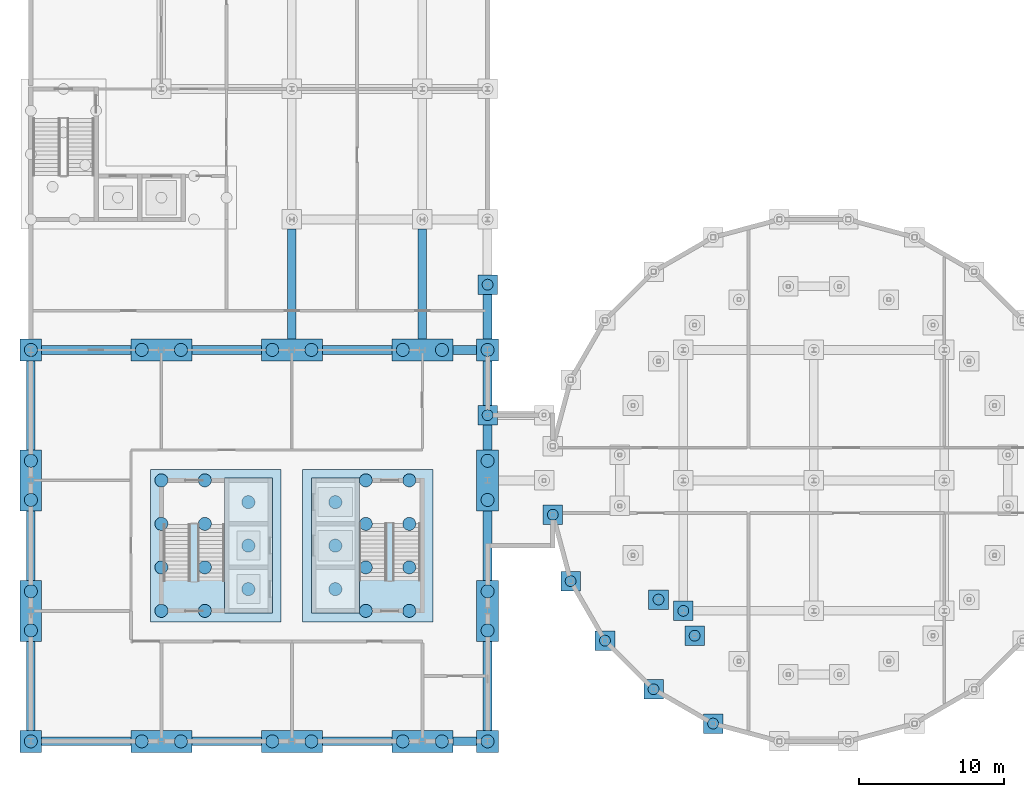
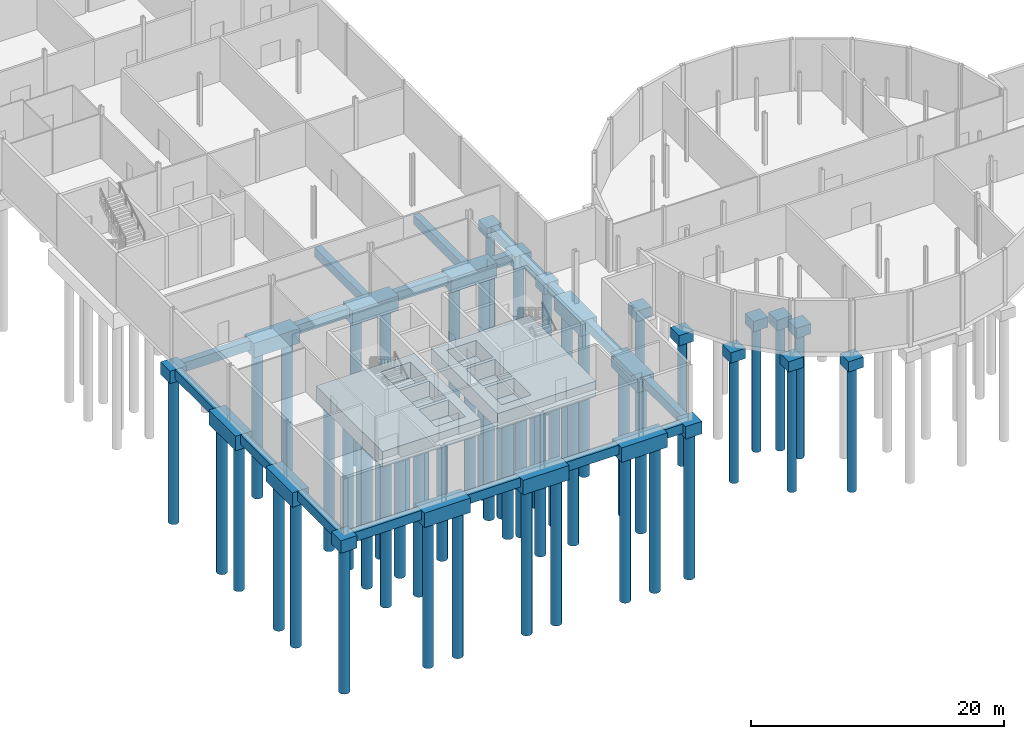
# One storey, part 1 of 25: 56 piles, 46 footings.
"""IFC4 building model written with IfcOpenShell, lengths in metres."""

from ifc_helpers import new_model, si_unit, direction, frame, origin, origin_2d, place, context, subcontext, project, spatial, polyline, circle, outline, extrude, material, material_profile, profile_set, type_object, element, save


model = new_model("IFC4")

# Units and contexts
model_context = context("Model", 3, precision=1e-05, world=origin(), true_north=direction((0.0, 1.0)))
body_context = subcontext(model_context, "Body", "Model", "MODEL_VIEW")
ifc_project = project(units=[si_unit("LENGTHUNIT", "METRE"), si_unit("AREAUNIT", "SQUARE_METRE"), si_unit("VOLUMEUNIT", "CUBIC_METRE"), si_unit("PLANEANGLEUNIT", "RADIAN"), si_unit("MASSUNIT", "GRAM", prefix="KILO")], contexts=[model_context])

# Site, building, storey
site_placement = place(None, origin())
site = spatial("IfcSite", under=ifc_project, at=site_placement, CompositionType="ELEMENT")
building_placement = place(site_placement, origin())
building = spatial("IfcBuilding", under=site, at=building_placement, Name="Hortulan Conservatory and Botanical Research Centre", CompositionType="ELEMENT")
storey_placement = place(building_placement, frame((0.0, 0.0, -5.0)))
storey = spatial("IfcBuildingStorey", under=building, at=storey_placement, Name="B1", CompositionType="ELEMENT", Elevation=-5.0)

# Piles
ifc_material = material(Name="Concrete N40 (40 MPa, AS 3600)", Category="concrete")
ifc_material_profile_1 = material_profile(ifc_material, circle(Radius=0.375, at=origin_2d()), Name="Bored pile 750 diameter")
ifc_profile_set_1 = profile_set([ifc_material_profile_1], Name="Concrete N40 (40 MPa, AS 3600)")
pile_type_1 = type_object("IfcPileType", Name="Bored Pile 750", PredefinedType="BORED", material=ifc_profile_set_1)
for number, where, z_axis, x_axis, name in (
    (1, (36.0, 15.63037109375, -1.300048828125), (0.0, 0.0, -1.0), (1.0, 0.0, 0.0), "Bored pile 750"),
    (2, (37.226806640625, 11.05224609375, -1.300048828125), (0.0, 0.0, -1.0), (1.0, 0.0, 0.0), "Bored pile 750"),
    (3, (39.596435546875, 6.94775390625, -1.300048828125), (0.0, 0.0, -1.0), (1.0, 0.0, 0.0), "Bored pile 750"),
    (4, (42.94775390625, 3.596435546875, -1.300048828125), (0.0, 0.0, -1.0), (1.0, 0.0, 0.0), "Bored pile 750"),
    (5, (47.05224609375, 1.226806640625, -1.300048828125), (0.0, 0.0, -1.0), (1.0, 0.0, 0.0), "Bored pile 750"),
    (6, (43.289794921875, 9.78173828125, -1.300048828125), (0.0, 0.0, -1.0), (1.0, 0.0, 0.0), "Bored pile 750"),
    (7, (45.78173828125, 7.289794921875, -1.300048828125), (0.0, 0.0, -1.0), (1.0, 0.0, 0.0), "Bored pile 750"),
    (8, (45.0, 9.0, -1.300048828125), (0.0, 0.0, -1.0), (1.0, 0.0, 0.0), "Bored pile 750"),
    (9, (31.5, 22.5, -1.300048828125), (0.0, 0.0, -1.0), (1.0, 0.0, 0.0), "Bored pile 750"),
    (10, (31.5, 31.5, -1.300048828125), (0.0, 0.0, -1.0), (1.0, 0.0, 0.0), "Bored pile 750"),
):
    element("IfcPile", number, at=place(storey_placement, frame(where, z_axis=z_axis, x_axis=x_axis)), inside=storey, type_object=pile_type_1, Name=name, PredefinedType="BORED", context=body_context, shape_type="SweptSolid", body=[
        extrude(circle(Radius=0.375, at=origin_2d()), origin(), (0.0, 0.0, 1.0), 12.10009765625),
    ])
ifc_material_profile_2 = material_profile(ifc_material, circle(Radius=0.449951171875, at=origin_2d()), Name="Bored pile 900 diameter")
ifc_profile_set_2 = profile_set([ifc_material_profile_2], Name="Concrete N40 (40 MPa, AS 3600)")
pile_type_2 = type_object("IfcPileType", Name="Bored Pile 900", PredefinedType="BORED", material=ifc_profile_set_2)
for number, where, z_axis, x_axis, name in (
    (11, (9.0, 9.0, -1.800048828125), (0.0, 0.0, -1.0), (1.0, 0.0, 0.0), "Bored pile 900"),
    (12, (9.0, 12.0, -1.800048828125), (0.0, 0.0, -1.0), (1.0, 0.0, 0.0), "Bored pile 900"),
    (13, (9.0, 15.0, -1.800048828125), (0.0, 0.0, -1.0), (1.0, 0.0, 0.0), "Bored pile 900"),
    (14, (9.0, 18.0, -1.800048828125), (0.0, 0.0, -1.0), (1.0, 0.0, 0.0), "Bored pile 900"),
    (15, (12.0, 9.0, -1.800048828125), (0.0, 0.0, -1.0), (1.0, 0.0, 0.0), "Bored pile 900"),
    (16, (12.0, 12.0, -1.800048828125), (0.0, 0.0, -1.0), (1.0, 0.0, 0.0), "Bored pile 900"),
    (17, (12.0, 15.0, -1.800048828125), (0.0, 0.0, -1.0), (1.0, 0.0, 0.0), "Bored pile 900"),
    (18, (12.0, 18.0, -1.800048828125), (0.0, 0.0, -1.0), (1.0, 0.0, 0.0), "Bored pile 900"),
):
    element("IfcPile", number, at=place(storey_placement, frame(where, z_axis=z_axis, x_axis=x_axis)), inside=storey, type_object=pile_type_2, Name=name, PredefinedType="BORED", context=body_context, shape_type="SweptSolid", body=[
        extrude(circle(Radius=0.449951171875, at=origin_2d()), origin(), (0.0, 0.0, 1.0), 14.10009765625),
    ])
for number, where, z_axis, x_axis, name in (
    (19, (15.0, 10.5, -2.300048828125), (0.0, 0.0, -1.0), (1.0, 0.0, 0.0), "Bored pile 900"),
    (20, (15.0, 13.5, -2.300048828125), (0.0, 0.0, -1.0), (1.0, 0.0, 0.0), "Bored pile 900"),
    (21, (15.0, 16.5, -2.300048828125), (0.0, 0.0, -1.0), (1.0, 0.0, 0.0), "Bored pile 900"),
):
    element("IfcPile", number, at=place(storey_placement, frame(where, z_axis=z_axis, x_axis=x_axis)), inside=storey, type_object=pile_type_2, Name=name, PredefinedType="BORED", context=body_context, shape_type="SweptSolid", body=[
        extrude(circle(Radius=0.449951171875, at=origin_2d()), origin(), (0.0, 0.0, 1.0), 12.10009765625),
    ])
for number, where, z_axis, x_axis, name in (
    (22, (23.10009765625, 9.0, -1.800048828125), (0.0, 0.0, -1.0), (1.0, 0.0, 0.0), "Bored pile 900"),
    (23, (23.10009765625, 12.0, -1.800048828125), (0.0, 0.0, -1.0), (1.0, 0.0, 0.0), "Bored pile 900"),
    (24, (23.10009765625, 15.0, -1.800048828125), (0.0, 0.0, -1.0), (1.0, 0.0, 0.0), "Bored pile 900"),
    (25, (23.10009765625, 18.0, -1.800048828125), (0.0, 0.0, -1.0), (1.0, 0.0, 0.0), "Bored pile 900"),
    (26, (26.10009765625, 9.0, -1.800048828125), (0.0, 0.0, -1.0), (1.0, 0.0, 0.0), "Bored pile 900"),
    (27, (26.10009765625, 12.0, -1.800048828125), (0.0, 0.0, -1.0), (1.0, 0.0, 0.0), "Bored pile 900"),
    (28, (26.10009765625, 15.0, -1.800048828125), (0.0, 0.0, -1.0), (1.0, 0.0, 0.0), "Bored pile 900"),
    (29, (26.10009765625, 18.0, -1.800048828125), (0.0, 0.0, -1.0), (1.0, 0.0, 0.0), "Bored pile 900"),
):
    element("IfcPile", number, at=place(storey_placement, frame(where, z_axis=z_axis, x_axis=x_axis)), inside=storey, type_object=pile_type_2, Name=name, PredefinedType="BORED", context=body_context, shape_type="SweptSolid", body=[
        extrude(circle(Radius=0.449951171875, at=origin_2d()), origin(), (0.0, 0.0, 1.0), 14.10009765625),
    ])
for number, where, z_axis, x_axis, name in (
    (30, (21.0, 10.5, -2.300048828125), (0.0, 0.0, -1.0), (1.0, 0.0, 0.0), "Bored pile 900"),
    (31, (21.0, 13.5, -2.300048828125), (0.0, 0.0, -1.0), (1.0, 0.0, 0.0), "Bored pile 900"),
    (32, (21.0, 16.5, -2.300048828125), (0.0, 0.0, -1.0), (1.0, 0.0, 0.0), "Bored pile 900"),
):
    element("IfcPile", number, at=place(storey_placement, frame(where, z_axis=z_axis, x_axis=x_axis)), inside=storey, type_object=pile_type_2, Name=name, PredefinedType="BORED", context=body_context, shape_type="SweptSolid", body=[
        extrude(circle(Radius=0.449951171875, at=origin_2d()), origin(), (0.0, 0.0, 1.0), 12.10009765625),
    ])
for number, where, z_axis, x_axis, name in (
    (33, (0.0, 0.0, -1.5), (0.0, 0.0, -1.0), (1.0, 0.0, 0.0), "Bored pile 900"),
    (34, (0.0, 7.64990234375, -1.699951171875), (0.0, 0.0, -1.0), (1.0, 0.0, 0.0), "Bored pile 900"),
    (35, (0.0, 10.35009765625, -1.699951171875), (0.0, 0.0, -1.0), (1.0, 0.0, 0.0), "Bored pile 900"),
    (36, (0.0, 16.64990234375, -1.699951171875), (0.0, 0.0, -1.0), (1.0, 0.0, 0.0), "Bored pile 900"),
    (37, (0.0, 19.35009765625, -1.699951171875), (0.0, 0.0, -1.0), (1.0, 0.0, 0.0), "Bored pile 900"),
    (38, (0.0, 27.0, -1.5), (0.0, 0.0, -1.0), (1.0, 0.0, 0.0), "Bored pile 900"),
    (39, (7.64990234375, 0.0, -1.699951171875), (0.0, 0.0, -1.0), (1.0, 0.0, 0.0), "Bored pile 900"),
    (40, (10.35009765625, 0.0, -1.699951171875), (0.0, 0.0, -1.0), (1.0, 0.0, 0.0), "Bored pile 900"),
    (41, (7.64990234375, 27.0, -1.699951171875), (0.0, 0.0, -1.0), (1.0, 0.0, 0.0), "Bored pile 900"),
    (42, (10.35009765625, 27.0, -1.699951171875), (0.0, 0.0, -1.0), (1.0, 0.0, 0.0), "Bored pile 900"),
    (43, (16.64990234375, 0.0, -1.699951171875), (0.0, 0.0, -1.0), (1.0, 0.0, 0.0), "Bored pile 900"),
    (44, (19.35009765625, 0.0, -1.699951171875), (0.0, 0.0, -1.0), (1.0, 0.0, 0.0), "Bored pile 900"),
    (45, (16.64990234375, 27.0, -1.699951171875), (0.0, 0.0, -1.0), (1.0, 0.0, 0.0), "Bored pile 900"),
    (46, (19.35009765625, 27.0, -1.699951171875), (0.0, 0.0, -1.0), (1.0, 0.0, 0.0), "Bored pile 900"),
    (47, (25.64990234375, 0.0, -1.699951171875), (0.0, 0.0, -1.0), (1.0, 0.0, 0.0), "Bored pile 900"),
    (48, (28.35009765625, 0.0, -1.699951171875), (0.0, 0.0, -1.0), (1.0, 0.0, 0.0), "Bored pile 900"),
    (49, (25.64990234375, 27.0, -1.699951171875), (0.0, 0.0, -1.0), (1.0, 0.0, 0.0), "Bored pile 900"),
    (50, (28.35009765625, 27.0, -1.699951171875), (0.0, 0.0, -1.0), (1.0, 0.0, 0.0), "Bored pile 900"),
    (51, (31.5, 0.0, -1.5), (0.0, 0.0, -1.0), (1.0, 0.0, 0.0), "Bored pile 900"),
    (52, (31.5, 7.64990234375, -1.699951171875), (0.0, 0.0, -1.0), (1.0, 0.0, 0.0), "Bored pile 900"),
    (53, (31.5, 10.35009765625, -1.699951171875), (0.0, 0.0, -1.0), (1.0, 0.0, 0.0), "Bored pile 900"),
    (54, (31.5, 16.64990234375, -1.699951171875), (0.0, 0.0, -1.0), (1.0, 0.0, 0.0), "Bored pile 900"),
    (55, (31.5, 19.35009765625, -1.699951171875), (0.0, 0.0, -1.0), (1.0, 0.0, 0.0), "Bored pile 900"),
    (56, (31.5, 27.0, -1.5), (0.0, 0.0, -1.0), (1.0, 0.0, 0.0), "Bored pile 900"),
):
    element("IfcPile", number, at=place(storey_placement, frame(where, z_axis=z_axis, x_axis=x_axis)), inside=storey, type_object=pile_type_2, Name=name, PredefinedType="BORED", context=body_context, shape_type="SweptSolid", body=[
        extrude(circle(Radius=0.449951171875, at=origin_2d()), origin(), (0.0, 0.0, 1.0), 14.10009765625),
    ])

# Footings
footing_type_1 = type_object("IfcFootingType", Name="Ground Beam 600x900", PredefinedType="FOOTING_BEAM", material=ifc_material)
footing_1_placement = place(storey_placement, frame((0.0, 0.0, -1.300048828125)))
element("IfcFooting", 57, at=footing_1_placement, inside=storey, type_object=footing_type_1, Name="Ground beam", PredefinedType="FOOTING_BEAM", context=body_context, shape_type="SweptSolid", body=[
    extrude(outline(polyline([(6.89990234375, -0.300048828125), (6.89990234375, 0.300048828125), (0.75, 0.300048828125), (0.75, -0.300048828125), (6.89990234375, -0.300048828125)])), origin(), (0.0, 0.0, 1.0), 0.900146484375),
])
footing_2_placement = place(storey_placement, frame((0.0, 0.0, -1.300048828125)))
element("IfcFooting", 58, at=footing_2_placement, inside=storey, type_object=footing_type_1, Name="Ground beam", PredefinedType="FOOTING_BEAM", context=body_context, shape_type="SweptSolid", body=[
    extrude(outline(polyline([(15.89990234375, -0.300048828125), (15.89990234375, 0.300048828125), (11.10009765625, 0.300048828125), (11.10009765625, -0.300048828125), (15.89990234375, -0.300048828125)])), origin(), (0.0, 0.0, 1.0), 0.900146484375),
])
footing_3_placement = place(storey_placement, frame((0.0, 0.0, -1.300048828125)))
element("IfcFooting", 59, at=footing_3_placement, inside=storey, type_object=footing_type_1, Name="Ground beam", PredefinedType="FOOTING_BEAM", context=body_context, shape_type="SweptSolid", body=[
    extrude(outline(polyline([(24.89990234375, -0.300048828125), (24.89990234375, 0.300048828125), (20.10009765625, 0.300048828125), (20.10009765625, -0.300048828125), (24.89990234375, -0.300048828125)])), origin(), (0.0, 0.0, 1.0), 0.900146484375),
])
footing_4_placement = place(storey_placement, frame((0.0, 0.0, -1.300048828125)))
element("IfcFooting", 60, at=footing_4_placement, inside=storey, type_object=footing_type_1, Name="Ground beam", PredefinedType="FOOTING_BEAM", context=body_context, shape_type="SweptSolid", body=[
    extrude(outline(polyline([(30.75, -0.300048828125), (30.75, 0.300048828125), (29.10009765625, 0.300048828125), (29.10009765625, -0.300048828125), (30.75, -0.300048828125)])), origin(), (0.0, 0.0, 1.0), 0.900146484375),
])
footing_5_placement = place(storey_placement, frame((0.0, 0.0, -1.300048828125)))
element("IfcFooting", 61, at=footing_5_placement, inside=storey, type_object=footing_type_1, Name="Ground beam", PredefinedType="FOOTING_BEAM", context=body_context, shape_type="SweptSolid", body=[
    extrude(outline(polyline([(6.89990234375, 26.699951171875), (6.89990234375, 27.300048828125), (0.75, 27.300048828125), (0.75, 26.699951171875), (6.89990234375, 26.699951171875)])), origin(), (0.0, 0.0, 1.0), 0.900146484375),
])
footing_6_placement = place(storey_placement, frame((0.0, 0.0, -1.300048828125)))
element("IfcFooting", 62, at=footing_6_placement, inside=storey, type_object=footing_type_1, Name="Ground beam", PredefinedType="FOOTING_BEAM", context=body_context, shape_type="SweptSolid", body=[
    extrude(outline(polyline([(15.89990234375, 26.699951171875), (15.89990234375, 27.300048828125), (11.10009765625, 27.300048828125), (11.10009765625, 26.699951171875), (15.89990234375, 26.699951171875)])), origin(), (0.0, 0.0, 1.0), 0.900146484375),
])
footing_7_placement = place(storey_placement, frame((0.0, 0.0, -1.300048828125)))
element("IfcFooting", 63, at=footing_7_placement, inside=storey, type_object=footing_type_1, Name="Ground beam", PredefinedType="FOOTING_BEAM", context=body_context, shape_type="SweptSolid", body=[
    extrude(outline(polyline([(24.89990234375, 26.699951171875), (24.89990234375, 27.300048828125), (20.10009765625, 27.300048828125), (20.10009765625, 26.699951171875), (24.89990234375, 26.699951171875)])), origin(), (0.0, 0.0, 1.0), 0.900146484375),
])
footing_8_placement = place(storey_placement, frame((0.0, 0.0, -1.300048828125)))
element("IfcFooting", 64, at=footing_8_placement, inside=storey, type_object=footing_type_1, Name="Ground beam", PredefinedType="FOOTING_BEAM", context=body_context, shape_type="SweptSolid", body=[
    extrude(outline(polyline([(30.75, 26.699951171875), (30.75, 27.300048828125), (29.10009765625, 27.300048828125), (29.10009765625, 26.699951171875), (30.75, 26.699951171875)])), origin(), (0.0, 0.0, 1.0), 0.900146484375),
])
footing_9_placement = place(storey_placement, frame((0.0, 0.0, -1.300048828125)))
element("IfcFooting", 65, at=footing_9_placement, inside=storey, type_object=footing_type_1, Name="Ground beam", PredefinedType="FOOTING_BEAM", context=body_context, shape_type="SweptSolid", body=[
    extrude(outline(polyline([(0.300048828125, 0.75), (0.300048828125, 6.89990234375), (-0.300048828125, 6.89990234375), (-0.300048828125, 0.75), (0.300048828125, 0.75)])), origin(), (0.0, 0.0, 1.0), 0.900146484375),
])
footing_10_placement = place(storey_placement, frame((0.0, 0.0, -1.300048828125)))
element("IfcFooting", 66, at=footing_10_placement, inside=storey, type_object=footing_type_1, Name="Ground beam", PredefinedType="FOOTING_BEAM", context=body_context, shape_type="SweptSolid", body=[
    extrude(outline(polyline([(0.300048828125, 11.10009765625), (0.300048828125, 15.89990234375), (-0.300048828125, 15.89990234375), (-0.300048828125, 11.10009765625), (0.300048828125, 11.10009765625)])), origin(), (0.0, 0.0, 1.0), 0.900146484375),
])
footing_11_placement = place(storey_placement, frame((0.0, 0.0, -1.300048828125)))
element("IfcFooting", 67, at=footing_11_placement, inside=storey, type_object=footing_type_1, Name="Ground beam", PredefinedType="FOOTING_BEAM", context=body_context, shape_type="SweptSolid", body=[
    extrude(outline(polyline([(0.300048828125, 20.10009765625), (0.300048828125, 26.25), (-0.300048828125, 26.25), (-0.300048828125, 20.10009765625), (0.300048828125, 20.10009765625)])), origin(), (0.0, 0.0, 1.0), 0.900146484375),
])
footing_12_placement = place(storey_placement, frame((0.0, 0.0, -1.300048828125)))
element("IfcFooting", 68, at=footing_12_placement, inside=storey, type_object=footing_type_1, Name="Ground beam", PredefinedType="FOOTING_BEAM", context=body_context, shape_type="SweptSolid", body=[
    extrude(outline(polyline([(18.300048828125, 27.75), (18.300048828125, 35.324951171875), (17.699951171875, 35.324951171875), (17.699951171875, 27.75), (18.300048828125, 27.75)])), origin(), (0.0, 0.0, 1.0), 0.900146484375),
])
footing_13_placement = place(storey_placement, frame((0.0, 0.0, -1.300048828125)))
element("IfcFooting", 69, at=footing_13_placement, inside=storey, type_object=footing_type_1, Name="Ground beam", PredefinedType="FOOTING_BEAM", context=body_context, shape_type="SweptSolid", body=[
    extrude(outline(polyline([(27.300048828125, 27.75), (27.300048828125, 35.324951171875), (26.699951171875, 35.324951171875), (26.699951171875, 27.75), (27.300048828125, 27.75)])), origin(), (0.0, 0.0, 1.0), 0.900146484375),
])
footing_14_placement = place(storey_placement, frame((0.0, 0.0, -1.300048828125)))
element("IfcFooting", 70, at=footing_14_placement, inside=storey, type_object=footing_type_1, Name="Ground beam", PredefinedType="FOOTING_BEAM", context=body_context, shape_type="SweptSolid", body=[
    extrude(outline(polyline([(31.800048828125, 0.75), (31.800048828125, 6.89990234375), (31.199951171875, 6.89990234375), (31.199951171875, 0.75), (31.800048828125, 0.75)])), origin(), (0.0, 0.0, 1.0), 0.900146484375),
])
footing_15_placement = place(storey_placement, frame((0.0, 0.0, -1.300048828125)))
element("IfcFooting", 71, at=footing_15_placement, inside=storey, type_object=footing_type_1, Name="Ground beam", PredefinedType="FOOTING_BEAM", context=body_context, shape_type="SweptSolid", body=[
    extrude(outline(polyline([(31.800048828125, 11.10009765625), (31.800048828125, 15.89990234375), (31.199951171875, 15.89990234375), (31.199951171875, 11.10009765625), (31.800048828125, 11.10009765625)])), origin(), (0.0, 0.0, 1.0), 0.900146484375),
])
footing_16_placement = place(storey_placement, frame((0.0, 0.0, -1.300048828125)))
element("IfcFooting", 72, at=footing_16_placement, inside=storey, type_object=footing_type_1, Name="Ground beam", PredefinedType="FOOTING_BEAM", context=body_context, shape_type="SweptSolid", body=[
    extrude(outline(polyline([(31.800048828125, 20.10009765625), (31.800048828125, 21.824951171875), (31.199951171875, 21.824951171875), (31.199951171875, 20.10009765625), (31.800048828125, 20.10009765625)])), origin(), (0.0, 0.0, 1.0), 0.900146484375),
])
footing_17_placement = place(storey_placement, frame((0.0, 0.0, -1.300048828125)))
element("IfcFooting", 73, at=footing_17_placement, inside=storey, type_object=footing_type_1, Name="Ground beam", PredefinedType="FOOTING_BEAM", context=body_context, shape_type="SweptSolid", body=[
    extrude(outline(polyline([(31.800048828125, 23.175048828125), (31.800048828125, 26.25), (31.199951171875, 26.25), (31.199951171875, 23.175048828125), (31.800048828125, 23.175048828125)])), origin(), (0.0, 0.0, 1.0), 0.900146484375),
])
footing_18_placement = place(storey_placement, frame((0.0, 0.0, -1.300048828125)))
element("IfcFooting", 74, at=footing_18_placement, inside=storey, type_object=footing_type_1, Name="Ground beam", PredefinedType="FOOTING_BEAM", context=body_context, shape_type="SweptSolid", body=[
    extrude(outline(polyline([(31.800048828125, 27.75), (31.800048828125, 30.824951171875), (31.199951171875, 30.824951171875), (31.199951171875, 27.75), (31.800048828125, 27.75)])), origin(), (0.0, 0.0, 1.0), 0.900146484375),
])
footing_type_2 = type_object("IfcFootingType", Name="Lift Pit Pile Cap 500", PredefinedType="PILE_CAP", material=ifc_material)
footing_19_placement = place(storey_placement, frame((0.0, 0.0, -2.39990234375)))
element("IfcFooting", 75, at=footing_19_placement, inside=storey, type_object=footing_type_2, Name="Lift pit pile cap", PredefinedType="PILE_CAP", context=body_context, shape_type="SweptSolid", body=[
    extrude(outline(polyline([(16.64990234375, 8.85009765625), (16.64990234375, 11.85009765625), (16.64990234375, 12.14990234375), (16.64990234375, 14.85009765625), (16.64990234375, 15.14990234375), (16.64990234375, 18.14990234375), (13.35009765625, 18.14990234375), (13.35009765625, 15.14990234375), (13.35009765625, 14.85009765625), (13.35009765625, 12.14990234375), (13.35009765625, 11.85009765625), (13.35009765625, 8.85009765625), (16.64990234375, 8.85009765625)])), origin(), (0.0, 0.0, 1.0), 0.5),
])
footing_20_placement = place(storey_placement, frame((0.0, 0.0, -2.39990234375)))
element("IfcFooting", 76, at=footing_20_placement, inside=storey, type_object=footing_type_2, Name="Lift pit pile cap", PredefinedType="PILE_CAP", context=body_context, shape_type="SweptSolid", body=[
    extrude(outline(polyline([(22.64990234375, 8.85009765625), (22.64990234375, 11.85009765625), (22.64990234375, 12.14990234375), (22.64990234375, 14.85009765625), (22.64990234375, 15.14990234375), (22.64990234375, 18.14990234375), (19.35009765625, 18.14990234375), (19.35009765625, 15.14990234375), (19.35009765625, 14.85009765625), (19.35009765625, 12.14990234375), (19.35009765625, 11.85009765625), (19.35009765625, 8.85009765625), (22.64990234375, 8.85009765625)])), origin(), (0.0, 0.0, 1.0), 0.5),
])
footing_type_3 = type_object("IfcFootingType", Name="Pile Cap 1350x1350x1000", PredefinedType="PILE_CAP", material=ifc_material)
footing_21_placement = place(storey_placement, frame((0.0, 0.0, -1.39990234375)))
element("IfcFooting", 77, at=footing_21_placement, inside=storey, type_object=footing_type_3, Name="Pile cap", PredefinedType="PILE_CAP", context=body_context, shape_type="SweptSolid", body=[
    extrude(outline(polyline([(36.675048828125, 14.955322265625), (36.675048828125, 16.305419921875), (35.324951171875, 16.305419921875), (35.324951171875, 14.955322265625), (36.675048828125, 14.955322265625)])), origin(), (0.0, 0.0, 1.0), 1.0),
])
footing_22_placement = place(storey_placement, frame((0.0, 0.0, -1.39990234375)))
element("IfcFooting", 78, at=footing_22_placement, inside=storey, type_object=footing_type_3, Name="Pile cap", PredefinedType="PILE_CAP", context=body_context, shape_type="SweptSolid", body=[
    extrude(outline(polyline([(37.901611328125, 10.377197265625), (37.901611328125, 11.727294921875), (36.5517578125, 11.727294921875), (36.5517578125, 10.377197265625), (37.901611328125, 10.377197265625)])), origin(), (0.0, 0.0, 1.0), 1.0),
])
footing_23_placement = place(storey_placement, frame((0.0, 0.0, -1.39990234375)))
element("IfcFooting", 79, at=footing_23_placement, inside=storey, type_object=footing_type_3, Name="Pile cap", PredefinedType="PILE_CAP", context=body_context, shape_type="SweptSolid", body=[
    extrude(outline(polyline([(40.271484375, 6.272705078125), (40.271484375, 7.622802734375), (38.92138671875, 7.622802734375), (38.92138671875, 6.272705078125), (40.271484375, 6.272705078125)])), origin(), (0.0, 0.0, 1.0), 1.0),
])
footing_24_placement = place(storey_placement, frame((0.0, 0.0, -1.39990234375)))
element("IfcFooting", 80, at=footing_24_placement, inside=storey, type_object=footing_type_3, Name="Pile cap", PredefinedType="PILE_CAP", context=body_context, shape_type="SweptSolid", body=[
    extrude(outline(polyline([(43.622802734375, 2.92138671875), (43.622802734375, 4.271484375), (42.272705078125, 4.271484375), (42.272705078125, 2.92138671875), (43.622802734375, 2.92138671875)])), origin(), (0.0, 0.0, 1.0), 1.0),
])
footing_25_placement = place(storey_placement, frame((0.0, 0.0, -1.39990234375)))
element("IfcFooting", 81, at=footing_25_placement, inside=storey, type_object=footing_type_3, Name="Pile cap", PredefinedType="PILE_CAP", context=body_context, shape_type="SweptSolid", body=[
    extrude(outline(polyline([(47.727294921875, 0.5517578125), (47.727294921875, 1.901611328125), (46.377197265625, 1.901611328125), (46.377197265625, 0.5517578125), (47.727294921875, 0.5517578125)])), origin(), (0.0, 0.0, 1.0), 1.0),
])
footing_26_placement = place(storey_placement, frame((0.0, 0.0, -1.39990234375)))
element("IfcFooting", 82, at=footing_26_placement, inside=storey, type_object=footing_type_3, Name="Pile cap", PredefinedType="PILE_CAP", context=body_context, shape_type="SweptSolid", body=[
    extrude(outline(polyline([(43.964599609375, 9.106689453125), (43.964599609375, 10.456787109375), (42.61474609375, 10.456787109375), (42.61474609375, 9.106689453125), (43.964599609375, 9.106689453125)])), origin(), (0.0, 0.0, 1.0), 1.0),
])
footing_27_placement = place(storey_placement, frame((0.0, 0.0, -1.39990234375)))
element("IfcFooting", 83, at=footing_27_placement, inside=storey, type_object=footing_type_3, Name="Pile cap", PredefinedType="PILE_CAP", context=body_context, shape_type="SweptSolid", body=[
    extrude(outline(polyline([(46.456787109375, 6.61474609375), (46.456787109375, 7.964599609375), (45.106689453125, 7.964599609375), (45.106689453125, 6.61474609375), (46.456787109375, 6.61474609375)])), origin(), (0.0, 0.0, 1.0), 1.0),
])
footing_28_placement = place(storey_placement, frame((0.0, 0.0, -1.39990234375)))
element("IfcFooting", 84, at=footing_28_placement, inside=storey, type_object=footing_type_3, Name="Pile cap", PredefinedType="PILE_CAP", context=body_context, shape_type="SweptSolid", body=[
    extrude(outline(polyline([(45.675048828125, 8.324951171875), (45.675048828125, 9.675048828125), (44.324951171875, 9.675048828125), (44.324951171875, 8.324951171875), (45.675048828125, 8.324951171875)])), origin(), (0.0, 0.0, 1.0), 1.0),
])
footing_29_placement = place(storey_placement, frame((0.0, 0.0, -1.39990234375)))
element("IfcFooting", 85, at=footing_29_placement, inside=storey, type_object=footing_type_3, Name="Pile cap", PredefinedType="PILE_CAP", context=body_context, shape_type="SweptSolid", body=[
    extrude(outline(polyline([(32.175048828125, 21.824951171875), (32.175048828125, 23.175048828125), (30.824951171875, 23.175048828125), (30.824951171875, 21.824951171875), (32.175048828125, 21.824951171875)])), origin(), (0.0, 0.0, 1.0), 1.0),
])
footing_30_placement = place(storey_placement, frame((0.0, 0.0, -1.39990234375)))
element("IfcFooting", 86, at=footing_30_placement, inside=storey, type_object=footing_type_3, Name="Pile cap", PredefinedType="PILE_CAP", context=body_context, shape_type="SweptSolid", body=[
    extrude(outline(polyline([(32.175048828125, 30.824951171875), (32.175048828125, 32.175048828125), (30.824951171875, 32.175048828125), (30.824951171875, 30.824951171875), (32.175048828125, 30.824951171875)])), origin(), (0.0, 0.0, 1.0), 1.0),
])
footing_type_4 = type_object("IfcFootingType", Name="Pile Cap 1500x1500x1200", PredefinedType="PILE_CAP", material=ifc_material)
footing_31_placement = place(storey_placement, frame((0.0, 0.0, -1.60009765625)))
element("IfcFooting", 87, at=footing_31_placement, inside=storey, type_object=footing_type_4, Name="Pile cap", PredefinedType="PILE_CAP", context=body_context, shape_type="SweptSolid", body=[
    extrude(outline(polyline([(0.75, -0.75), (0.75, 0.75), (-0.75, 0.75), (-0.75, -0.75), (0.75, -0.75)])), origin(), (0.0, 0.0, 1.0), 1.2001953125),
])
footing_32_placement = place(storey_placement, frame((0.0, 0.0, -1.60009765625)))
element("IfcFooting", 88, at=footing_32_placement, inside=storey, type_object=footing_type_4, Name="Pile cap", PredefinedType="PILE_CAP", context=body_context, shape_type="SweptSolid", body=[
    extrude(outline(polyline([(0.75, 26.25), (0.75, 27.75), (-0.75, 27.75), (-0.75, 26.25), (0.75, 26.25)])), origin(), (0.0, 0.0, 1.0), 1.2001953125),
])
footing_33_placement = place(storey_placement, frame((0.0, 0.0, -1.60009765625)))
element("IfcFooting", 89, at=footing_33_placement, inside=storey, type_object=footing_type_4, Name="Pile cap", PredefinedType="PILE_CAP", context=body_context, shape_type="SweptSolid", body=[
    extrude(outline(polyline([(32.25, -0.75), (32.25, 0.75), (30.75, 0.75), (30.75, -0.75), (32.25, -0.75)])), origin(), (0.0, 0.0, 1.0), 1.2001953125),
])
footing_34_placement = place(storey_placement, frame((0.0, 0.0, -1.60009765625)))
element("IfcFooting", 90, at=footing_34_placement, inside=storey, type_object=footing_type_4, Name="Pile cap", PredefinedType="PILE_CAP", context=body_context, shape_type="SweptSolid", body=[
    extrude(outline(polyline([(32.25, 26.25), (32.25, 27.75), (30.75, 27.75), (30.75, 26.25), (32.25, 26.25)])), origin(), (0.0, 0.0, 1.0), 1.2001953125),
])
footing_type_5 = type_object("IfcFootingType", Name="Pile Cap 1500x4200x1400", PredefinedType="PILE_CAP", material=ifc_material)
footing_35_placement = place(storey_placement, frame((0.0, 0.0, -1.800048828125)))
element("IfcFooting", 91, at=footing_35_placement, inside=storey, type_object=footing_type_5, Name="Pile cap", PredefinedType="PILE_CAP", context=body_context, shape_type="SweptSolid", body=[
    extrude(outline(polyline([(0.75, 6.89990234375), (0.75, 11.10009765625), (-0.75, 11.10009765625), (-0.75, 6.89990234375), (0.75, 6.89990234375)])), origin(), (0.0, 0.0, 1.0), 1.400146484375),
])
footing_36_placement = place(storey_placement, frame((0.0, 0.0, -1.800048828125)))
element("IfcFooting", 92, at=footing_36_placement, inside=storey, type_object=footing_type_5, Name="Pile cap", PredefinedType="PILE_CAP", context=body_context, shape_type="SweptSolid", body=[
    extrude(outline(polyline([(0.75, 15.89990234375), (0.75, 20.10009765625), (-0.75, 20.10009765625), (-0.75, 15.89990234375), (0.75, 15.89990234375)])), origin(), (0.0, 0.0, 1.0), 1.400146484375),
])
footing_37_placement = place(storey_placement, frame((0.0, 0.0, -1.800048828125)))
element("IfcFooting", 93, at=footing_37_placement, inside=storey, type_object=footing_type_5, Name="Pile cap", PredefinedType="PILE_CAP", context=body_context, shape_type="SweptSolid", body=[
    extrude(outline(polyline([(32.25, 6.89990234375), (32.25, 11.10009765625), (30.75, 11.10009765625), (30.75, 6.89990234375), (32.25, 6.89990234375)])), origin(), (0.0, 0.0, 1.0), 1.400146484375),
])
footing_38_placement = place(storey_placement, frame((0.0, 0.0, -1.800048828125)))
element("IfcFooting", 94, at=footing_38_placement, inside=storey, type_object=footing_type_5, Name="Pile cap", PredefinedType="PILE_CAP", context=body_context, shape_type="SweptSolid", body=[
    extrude(outline(polyline([(32.25, 15.89990234375), (32.25, 20.10009765625), (30.75, 20.10009765625), (30.75, 15.89990234375), (32.25, 15.89990234375)])), origin(), (0.0, 0.0, 1.0), 1.400146484375),
])
footing_type_6 = type_object("IfcFootingType", Name="Pile Cap 4200x1500x1400", PredefinedType="PILE_CAP", material=ifc_material)
footing_39_placement = place(storey_placement, frame((0.0, 0.0, -1.800048828125)))
element("IfcFooting", 95, at=footing_39_placement, inside=storey, type_object=footing_type_6, Name="Pile cap", PredefinedType="PILE_CAP", context=body_context, shape_type="SweptSolid", body=[
    extrude(outline(polyline([(11.10009765625, -0.75), (11.10009765625, 0.75), (6.89990234375, 0.75), (6.89990234375, -0.75), (11.10009765625, -0.75)])), origin(), (0.0, 0.0, 1.0), 1.400146484375),
])
footing_40_placement = place(storey_placement, frame((0.0, 0.0, -1.800048828125)))
element("IfcFooting", 96, at=footing_40_placement, inside=storey, type_object=footing_type_6, Name="Pile cap", PredefinedType="PILE_CAP", context=body_context, shape_type="SweptSolid", body=[
    extrude(outline(polyline([(11.10009765625, 26.25), (11.10009765625, 27.75), (6.89990234375, 27.75), (6.89990234375, 26.25), (11.10009765625, 26.25)])), origin(), (0.0, 0.0, 1.0), 1.400146484375),
])
footing_41_placement = place(storey_placement, frame((0.0, 0.0, -1.800048828125)))
element("IfcFooting", 97, at=footing_41_placement, inside=storey, type_object=footing_type_6, Name="Pile cap", PredefinedType="PILE_CAP", context=body_context, shape_type="SweptSolid", body=[
    extrude(outline(polyline([(20.10009765625, -0.75), (20.10009765625, 0.75), (15.89990234375, 0.75), (15.89990234375, -0.75), (20.10009765625, -0.75)])), origin(), (0.0, 0.0, 1.0), 1.400146484375),
])
footing_42_placement = place(storey_placement, frame((0.0, 0.0, -1.800048828125)))
element("IfcFooting", 98, at=footing_42_placement, inside=storey, type_object=footing_type_6, Name="Pile cap", PredefinedType="PILE_CAP", context=body_context, shape_type="SweptSolid", body=[
    extrude(outline(polyline([(20.10009765625, 26.25), (20.10009765625, 27.75), (15.89990234375, 27.75), (15.89990234375, 26.25), (20.10009765625, 26.25)])), origin(), (0.0, 0.0, 1.0), 1.400146484375),
])
footing_43_placement = place(storey_placement, frame((0.0, 0.0, -1.800048828125)))
element("IfcFooting", 99, at=footing_43_placement, inside=storey, type_object=footing_type_6, Name="Pile cap", PredefinedType="PILE_CAP", context=body_context, shape_type="SweptSolid", body=[
    extrude(outline(polyline([(29.10009765625, -0.75), (29.10009765625, 0.75), (24.89990234375, 0.75), (24.89990234375, -0.75), (29.10009765625, -0.75)])), origin(), (0.0, 0.0, 1.0), 1.400146484375),
])
footing_44_placement = place(storey_placement, frame((0.0, 0.0, -1.800048828125)))
element("IfcFooting", 100, at=footing_44_placement, inside=storey, type_object=footing_type_6, Name="Pile cap", PredefinedType="PILE_CAP", context=body_context, shape_type="SweptSolid", body=[
    extrude(outline(polyline([(29.10009765625, 26.25), (29.10009765625, 27.75), (24.89990234375, 27.75), (24.89990234375, 26.25), (29.10009765625, 26.25)])), origin(), (0.0, 0.0, 1.0), 1.400146484375),
])
footing_type_7 = type_object("IfcFootingType", Name="Pile Raft 1500", PredefinedType="PILE_CAP", material=ifc_material)
footing_45_placement = place(storey_placement, frame((0.0, 0.0, -1.89990234375)))
element("IfcFooting", 101, at=footing_45_placement, inside=storey, type_object=footing_type_7, Name="Pile raft under shaft walls", PredefinedType="PILE_CAP", context=body_context, shape_type="SweptSolid", body=[
    extrude(outline(polyline([(8.25, 8.25), (17.25, 8.25), (17.25, 18.75), (8.25, 18.75), (8.25, 8.25)]), holes=[polyline([(16.35009765625, 9.14990234375), (16.35009765625, 11.85009765625), (13.64990234375, 11.85009765625), (13.64990234375, 9.14990234375), (16.35009765625, 9.14990234375)]), polyline([(13.64990234375, 12.14990234375), (16.35009765625, 12.14990234375), (16.35009765625, 14.85009765625), (13.64990234375, 14.85009765625), (13.64990234375, 12.14990234375)]), polyline([(13.64990234375, 15.14990234375), (16.35009765625, 15.14990234375), (16.35009765625, 17.85009765625), (13.64990234375, 17.85009765625), (13.64990234375, 15.14990234375)])]), origin(), (0.0, 0.0, 1.0), 1.5),
])
footing_46_placement = place(storey_placement, frame((0.0, 0.0, -1.89990234375)))
element("IfcFooting", 102, at=footing_46_placement, inside=storey, type_object=footing_type_7, Name="Pile raft under shaft walls", PredefinedType="PILE_CAP", context=body_context, shape_type="SweptSolid", body=[
    extrude(outline(polyline([(18.75, 18.75), (18.75, 8.25), (27.75, 8.25), (27.75, 18.75), (18.75, 18.75)]), holes=[polyline([(22.35009765625, 9.14990234375), (22.35009765625, 11.85009765625), (19.64990234375, 11.85009765625), (19.64990234375, 9.14990234375), (22.35009765625, 9.14990234375)]), polyline([(19.64990234375, 12.14990234375), (22.35009765625, 12.14990234375), (22.35009765625, 14.85009765625), (19.64990234375, 14.85009765625), (19.64990234375, 12.14990234375)]), polyline([(19.64990234375, 15.14990234375), (22.35009765625, 15.14990234375), (22.35009765625, 17.85009765625), (19.64990234375, 17.85009765625), (19.64990234375, 15.14990234375)])]), origin(), (0.0, 0.0, 1.0), 1.5),
])

save(model, "model.ifc")
